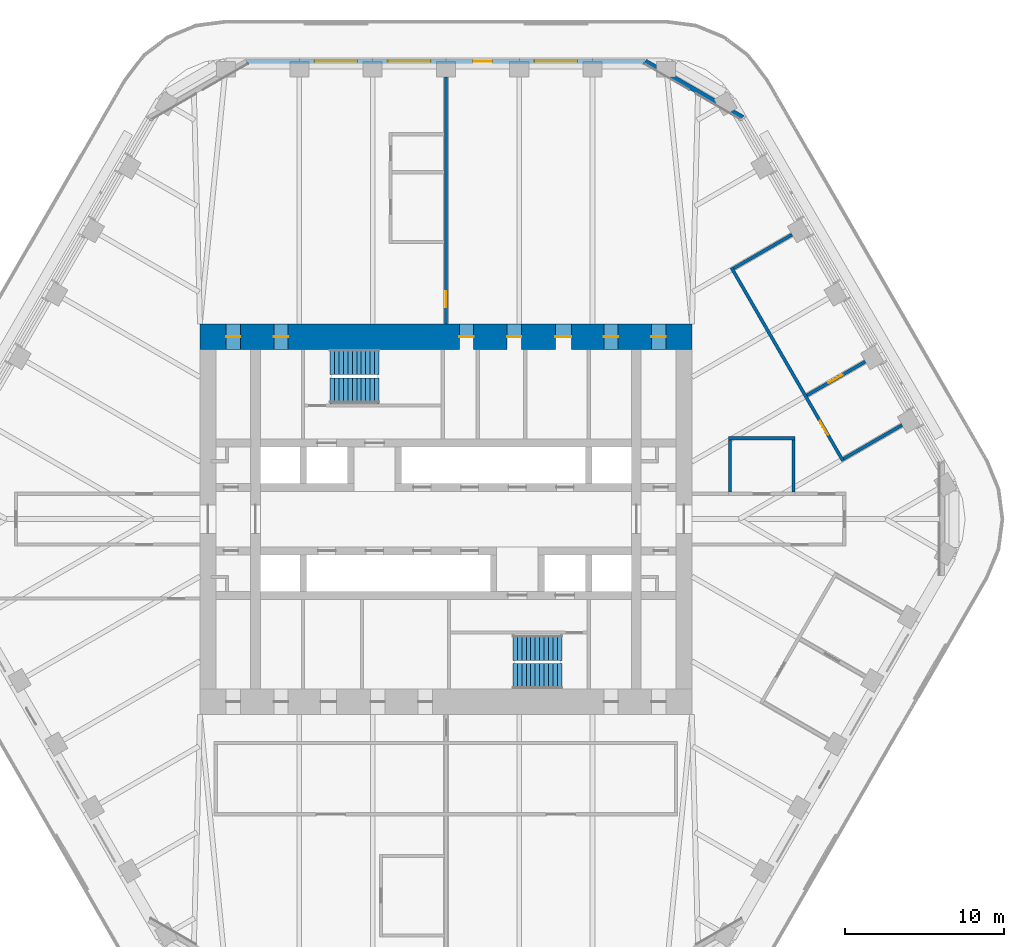
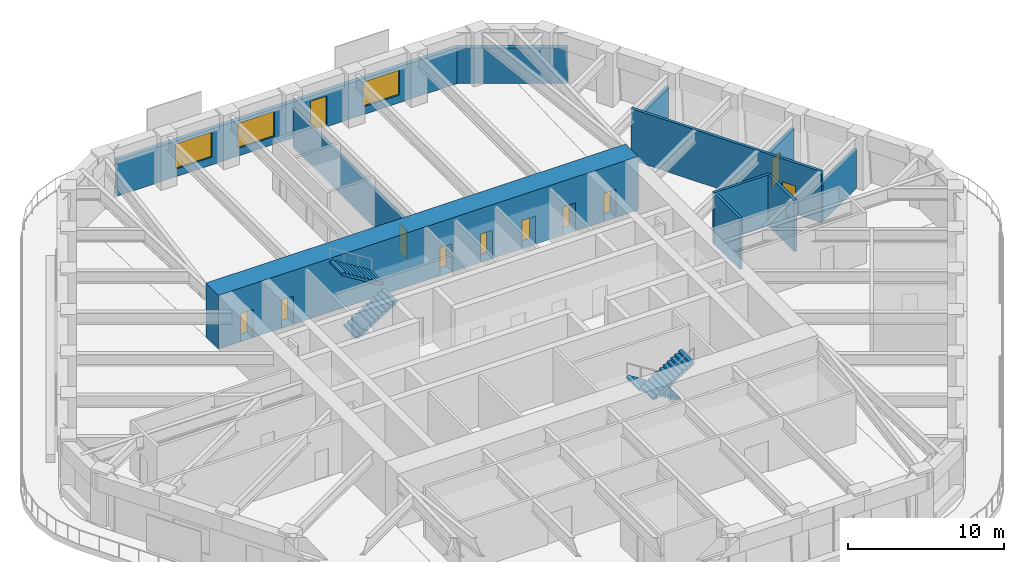
# One storey, part 17 of 20: 11 doors, 11 walls, 4 stair flights, 3 windows, 14 openings, 2 elements without a shape of their own.
"""IFC4 building model written with IfcOpenShell, lengths in metres."""

from ifc_helpers import new_model, si_unit, direction, frame, frame_2d, origin, place, context, subcontext, project, spatial, polyline, rectangle, outline, extrude, material, layer, layer_set, type_object, element, fill, aggregate, save


model = new_model("IFC4")

# Units and contexts
model_context = context("Model", 3, precision=1e-05, world=origin(), true_north=direction((0.0, 1.0)))
body_context = subcontext(model_context, "Body", "Model", "MODEL_VIEW")
ifc_project = project(units=[si_unit("LENGTHUNIT", "METRE"), si_unit("AREAUNIT", "SQUARE_METRE"), si_unit("VOLUMEUNIT", "CUBIC_METRE"), si_unit("PLANEANGLEUNIT", "RADIAN"), si_unit("MASSUNIT", "GRAM", prefix="KILO")], contexts=[model_context])

# Site, building, storey
site_placement = place(None, origin())
site = spatial("IfcSite", under=ifc_project, at=site_placement, CompositionType="ELEMENT")
building_placement = place(site_placement, origin())
building = spatial("IfcBuilding", under=site, at=building_placement, Name="Tarfa Lantern Tower", CompositionType="ELEMENT")
storey_placement = place(building_placement, frame((0.0, 0.0, 257.5)))
storey = spatial("IfcBuildingStorey", under=building, at=storey_placement, Name="L58", CompositionType="ELEMENT", Elevation=257.5)

# Wall
ifc_material_1 = material(Name="Limestone cladding on blockwork", Category="masonry")
ifc_layer_1 = layer(ifc_material_1, 0.300048828125)
ifc_layer_set_1 = layer_set([ifc_layer_1], Name="EW1 STONE-CLAD WALL 300")
wall_type_1 = type_object("IfcWallType", Name="EW1 STONE-CLAD WALL 300", PredefinedType="SOLIDWALL", material=ifc_layer_set_1)
wall_1_placement = place(storey_placement, frame((18.70654296875, 25.299072265625, 0.0), z_axis=(0.0, 0.0, 1.0), x_axis=(-0.866010973379, 0.500024993363, 0.0)))
element("IfcWall", 1, at=wall_1_placement, inside=storey, type_object=wall_type_1, Name="Garden wall NE-N", PredefinedType="SOLIDWALL", context=body_context, shape_type="SweptSolid", body=[
    extrude(rectangle(XDim=7.101806640625, YDim=0.300048828125, at=frame_2d((3.55078125, 0.0))), origin(), (0.0, 0.0, 1.0), 2.800048828125),
])

# Wall, openings, door, windows
wall_2_placement = place(storey_placement, frame((12.556396484375, 28.85009765625, 0.0), z_axis=(0.0, 0.0, 1.0), x_axis=(-1.0, 0.0, 0.0)))
wall_2 = element("IfcWall", 2, at=wall_2_placement, inside=storey, type_object=wall_type_1, Name="Stone wall N", PredefinedType="SOLIDWALL", context=body_context, shape_type="SweptSolid", body=[
    extrude(rectangle(XDim=25.11279296875, YDim=0.300048828125, at=frame_2d((12.556396484375, 0.0))), origin(), (0.0, 0.0, 1.0), 2.800048828125),
])
opening_1_placement = place(wall_2_placement, frame((4.2783203125, 0.0, 0.60009765625)))
opening_1 = element("IfcOpeningElement", 3, at=opening_1_placement, cuts=wall_2, Name="Opening W14", PredefinedType="OPENING", context=body_context, shape_type="SweptSolid", body=[
    extrude(rectangle(XDim=2.699951171875, YDim=1.949951171875, at=frame_2d((1.35009765625, 0.97509765625))), frame((0.0, 0.159912109375, 0.0), z_axis=(0.0, -1.0, 0.0), x_axis=(1.0, 0.0, 0.0)), (0.0, 0.0, 1.0), 0.320068359375),
])
opening_2_placement = place(wall_2_placement, frame((9.64697265625, 0.0, 0.0)))
opening_2 = element("IfcOpeningElement", 4, at=opening_2_placement, cuts=wall_2, Name="Opening D46", PredefinedType="OPENING", context=body_context, shape_type="SweptSolid", body=[
    extrude(rectangle(XDim=1.199951171875, YDim=2.39990234375, at=frame_2d((0.60009765625, 1.199951171875))), frame((0.0, 0.159912109375, 0.0), z_axis=(0.0, -1.0, 0.0), x_axis=(1.0, 0.0, 0.0)), (0.0, 0.0, 1.0), 0.320068359375),
])
opening_3_placement = place(wall_2_placement, frame((13.515869140625, 0.0, 0.60009765625)))
opening_3 = element("IfcOpeningElement", 5, at=opening_3_placement, cuts=wall_2, Name="Opening W14", PredefinedType="OPENING", context=body_context, shape_type="SweptSolid", body=[
    extrude(rectangle(XDim=2.699951171875, YDim=1.949951171875, at=frame_2d((1.35009765625, 0.97509765625))), frame((0.0, 0.159912109375, 0.0), z_axis=(0.0, -1.0, 0.0), x_axis=(1.0, 0.0, 0.0)), (0.0, 0.0, 1.0), 0.320068359375),
])
opening_4_placement = place(wall_2_placement, frame((18.134521484375, 0.0, 0.60009765625)))
opening_4 = element("IfcOpeningElement", 6, at=opening_4_placement, cuts=wall_2, Name="Opening W14", PredefinedType="OPENING", context=body_context, shape_type="SweptSolid", body=[
    extrude(rectangle(XDim=2.699951171875, YDim=1.949951171875, at=frame_2d((1.35009765625, 0.97509765625))), frame((0.0, 0.159912109375, 0.0), z_axis=(0.0, -1.0, 0.0), x_axis=(1.0, 0.0, 0.0)), (0.0, 0.0, 1.0), 0.320068359375),
])
ifc_material_2 = material(Name="Aluminium framed glazed door", Category="aluminium")
door_type_1 = type_object("IfcDoorType", Name="BE3 BALCONY DOOR 1200x2400", OperationType="SINGLE_SWING_RIGHT", PredefinedType="DOOR", material=ifc_material_2)
door_1_placement = place(opening_2_placement, origin())
door_1 = element("IfcDoor", 7, at=door_1_placement, inside=storey, type_object=door_type_1, Name="Balcony door N", OperationType="SINGLE_SWING_LEFT", OverallHeight=2.39990234375, OverallWidth=1.199951171875, PredefinedType="DOOR", context=body_context, shape_type="SweptSolid", body=[
    extrude(rectangle(XDim=1.199951171875, YDim=2.39990234375, at=frame_2d((0.60009765625, 1.199951171875))), frame((0.0, 0.02490234375, 0.0), z_axis=(0.0, -1.0, 0.0), x_axis=(1.0, 0.0, 0.0)), (0.0, 0.0, 1.0), 0.050048828125),
])
fill(opening_2, door_1)
ifc_material_3 = material(Name="Aluminium frame, double glazed", Category="aluminium")
window_type = type_object("IfcWindowType", Name="W14 FULL-HEIGHT GLAZING 2700x1950", PartitioningType="SINGLE_PANEL", PredefinedType="WINDOW", material=ifc_material_3)
window_1_placement = place(opening_1_placement, origin())
window_1 = element("IfcWindow", 8, at=window_1_placement, inside=storey, type_object=window_type, Name="Window N 2", OverallHeight=1.949951171875, OverallWidth=2.699951171875, PartitioningType="SINGLE_PANEL", PredefinedType="WINDOW", context=body_context, shape_type="SweptSolid", body=[
    extrude(rectangle(XDim=2.699951171875, YDim=1.949951171875, at=frame_2d((1.35009765625, 0.97509765625))), frame((0.0, 0.030029296875, 0.0), z_axis=(0.0, -1.0, 0.0), x_axis=(1.0, 0.0, 0.0)), (0.0, 0.0, 1.0), 0.06005859375),
])
fill(opening_1, window_1)
window_2_placement = place(opening_3_placement, origin())
window_2 = element("IfcWindow", 9, at=window_2_placement, inside=storey, type_object=window_type, Name="Window N 4", OverallHeight=1.949951171875, OverallWidth=2.699951171875, PartitioningType="SINGLE_PANEL", PredefinedType="WINDOW", context=body_context, shape_type="SweptSolid", body=[
    extrude(rectangle(XDim=2.699951171875, YDim=1.949951171875, at=frame_2d((1.35009765625, 0.97509765625))), frame((0.0, 0.030029296875, 0.0), z_axis=(0.0, -1.0, 0.0), x_axis=(1.0, 0.0, 0.0)), (0.0, 0.0, 1.0), 0.06005859375),
])
fill(opening_3, window_2)
window_3_placement = place(opening_4_placement, origin())
window_3 = element("IfcWindow", 10, at=window_3_placement, inside=storey, type_object=window_type, Name="Window N 5", OverallHeight=1.949951171875, OverallWidth=2.699951171875, PartitioningType="SINGLE_PANEL", PredefinedType="WINDOW", context=body_context, shape_type="SweptSolid", body=[
    extrude(rectangle(XDim=2.699951171875, YDim=1.949951171875, at=frame_2d((1.35009765625, 0.97509765625))), frame((0.0, 0.030029296875, 0.0), z_axis=(0.0, -1.0, 0.0), x_axis=(1.0, 0.0, 0.0)), (0.0, 0.0, 1.0), 0.06005859375),
])
fill(opening_4, window_3)

# Wall, opening, door
ifc_material_4 = material(Name="Gypsum board on steel studs", Category="steel")
ifc_layer_2 = layer(ifc_material_4, 0.2099609375)
ifc_layer_set_2 = layer_set([ifc_layer_2], Name="IW2 ACOUSTIC PARTITION 200")
wall_type_2 = type_object("IfcWallType", Name="IW2 ACOUSTIC PARTITION 200", PredefinedType="PARTITIONING", material=ifc_layer_set_2)
wall_3_placement = place(storey_placement, frame((25.0205078125, 3.663330078125, 0.0), z_axis=(0.0, 0.0, 1.0), x_axis=(-0.500002095642, 0.866024193862, 0.0)))
wall_3 = element("IfcWall", 11, at=wall_3_placement, inside=storey, type_object=wall_type_2, Name="Partition", PredefinedType="PARTITIONING", context=body_context, shape_type="SweptSolid", body=[
    extrude(rectangle(XDim=14.056640625, YDim=0.199951171875, at=frame_2d((7.0283203125, 0.0))), origin(), (0.0, 0.0, 1.0), 4.0),
])
opening_5_placement = place(wall_3_placement, frame((1.909423828125, 0.0, 0.0)))
opening_5 = element("IfcOpeningElement", 12, at=opening_5_placement, cuts=wall_3, Name="Opening D28", PredefinedType="OPENING", context=body_context, shape_type="SweptSolid", body=[
    extrude(rectangle(XDim=1.0, YDim=2.199951171875, at=frame_2d((0.5, 1.10009765625))), frame((0.0, 0.10986328125, 0.0), z_axis=(0.0, -1.0, 0.0), x_axis=(1.0, 0.0, 0.0)), (0.0, 0.0, 1.0), 0.219970703125),
])
ifc_material_5 = material(Name="Timber door", Category="wood")
door_type_2 = type_object("IfcDoorType", Name="DR1 ROOM DOOR 1000x2200", OperationType="SINGLE_SWING_LEFT", PredefinedType="DOOR", material=ifc_material_5)
door_2_placement = place(opening_5_placement, frame((1.0, 0.0, 0.0), z_axis=(0.0, 0.0, 1.0), x_axis=(-1.0, 0.0, 0.0)))
door_2 = element("IfcDoor", 13, at=door_2_placement, inside=storey, type_object=door_type_2, Name="Client reception door", OperationType="SINGLE_SWING_LEFT", OverallHeight=2.199951171875, OverallWidth=1.0, PredefinedType="DOOR", context=body_context, shape_type="SweptSolid", body=[
    extrude(rectangle(XDim=1.0, YDim=2.199951171875, at=frame_2d((0.5, 1.10009765625))), frame((0.0, 0.02490234375, 0.0), z_axis=(0.0, -1.0, 0.0), x_axis=(1.0, 0.0, 0.0)), (0.0, 0.0, 1.0), 0.050048828125),
])
fill(opening_5, door_2)

# Wall
wall_4_placement = place(storey_placement, frame((25.056884765625, 3.800048828125, 0.0), z_axis=(0.0, 0.0, 1.0), x_axis=(0.866028703517, 0.499994284652, 0.0)))
element("IfcWall", 14, at=wall_4_placement, inside=storey, type_object=wall_type_2, Name="Partition", PredefinedType="PARTITIONING", context=body_context, shape_type="SweptSolid", body=[
    extrude(rectangle(XDim=4.25, YDim=0.199951171875, at=frame_2d((2.125, 0.0))), origin(), (0.0, 0.0, 1.0), 3.08154296875),
])

# Wall, opening, door
wall_5_placement = place(storey_placement, frame((22.74755859375, 7.800048828125, 0.0), z_axis=(0.0, 0.0, 1.0), x_axis=(0.866028703517, 0.499994284652, 0.0)))
wall_5 = element("IfcWall", 15, at=wall_5_placement, inside=storey, type_object=wall_type_2, Name="Partition", PredefinedType="PARTITIONING", context=body_context, shape_type="SweptSolid", body=[
    extrude(rectangle(XDim=4.25, YDim=0.199951171875, at=frame_2d((2.125, 0.0))), origin(), (0.0, 0.0, 1.0), 3.08154296875),
])
opening_6_placement = place(wall_5_placement, frame((1.574951171875, 0.0, 0.0)))
opening_6 = element("IfcOpeningElement", 16, at=opening_6_placement, cuts=wall_5, Name="Opening D29", PredefinedType="OPENING", context=body_context, shape_type="SweptSolid", body=[
    extrude(rectangle(XDim=1.0, YDim=2.199951171875, at=frame_2d((0.5, 1.10009765625))), frame((0.0, 0.10986328125, 0.0), z_axis=(0.0, -1.0, 0.0), x_axis=(1.0, 0.0, 0.0)), (0.0, 0.0, 1.0), 0.219970703125),
])
door_3_placement = place(opening_6_placement, frame((1.0, 0.0, 0.0), z_axis=(0.0, 0.0, 1.0), x_axis=(-1.0, 0.0, 0.0)))
door_3 = element("IfcDoor", 17, at=door_3_placement, inside=storey, type_object=door_type_2, Name="Majlis door", OperationType="SINGLE_SWING_LEFT", OverallHeight=2.199951171875, OverallWidth=1.0, PredefinedType="DOOR", context=body_context, shape_type="SweptSolid", body=[
    extrude(rectangle(XDim=1.0, YDim=2.199951171875, at=frame_2d((0.5, 1.10009765625))), frame((0.0, 0.02490234375, 0.0), z_axis=(0.0, -1.0, 0.0), x_axis=(1.0, 0.0, 0.0)), (0.0, 0.0, 1.0), 0.050048828125),
])
fill(opening_6, door_3)

# Walls
wall_6_placement = place(storey_placement, frame((18.12890625, 15.800048828125, 0.0), z_axis=(0.0, 0.0, 1.0), x_axis=(0.866014341725, 0.50001915956, 0.0)))
element("IfcWall", 18, at=wall_6_placement, inside=storey, type_object=wall_type_2, Name="Partition", PredefinedType="PARTITIONING", context=body_context, shape_type="SweptSolid", body=[
    extrude(rectangle(XDim=4.249755859375, YDim=0.199951171875, at=frame_2d((2.125, 0.0))), origin(), (0.0, 0.0, 1.0), 3.08154296875),
])
wall_7_placement = place(storey_placement, frame((17.800048828125, 5.10009765625, 0.0), z_axis=(0.0, 0.0, 1.0), x_axis=(1.0, 0.0, 0.0)))
element("IfcWall", 19, at=wall_7_placement, inside=storey, type_object=wall_type_2, Name="Partition", PredefinedType="PARTITIONING", context=body_context, shape_type="SweptSolid", body=[
    extrude(rectangle(XDim=4.199951171875, YDim=0.199951171875, at=frame_2d((2.10009765625, 0.0))), origin(), (0.0, 0.0, 1.0), 4.0),
])
for number, where, z_axis, x_axis, name in (
    (20, (17.89990234375, 1.699951171875, 0.0), (0.0, 0.0, 1.0), (0.0, 1.0, 0.0), "Partition"),
    (21, (21.89990234375, 1.699951171875, 0.0), (0.0, 0.0, 1.0), (0.0, 1.0, 0.0), "Partition"),
):
    element("IfcWall", number, at=place(storey_placement, frame(where, z_axis=z_axis, x_axis=x_axis)), inside=storey, type_object=wall_type_2, Name=name, PredefinedType="PARTITIONING", context=body_context, shape_type="SweptSolid", body=[
        extrude(rectangle(XDim=3.300048828125, YDim=0.199951171875, at=frame_2d((1.64990234375, 0.0))), origin(), (0.0, 0.0, 1.0), 4.0),
    ])

# Wall, opening, door
wall_8_placement = place(storey_placement, frame((0.0, 12.300048828125, 0.0), z_axis=(0.0, 0.0, 1.0), x_axis=(0.0, 1.0, 0.0)))
wall_8 = element("IfcWall", 22, at=wall_8_placement, inside=storey, type_object=wall_type_2, Name="Partition", PredefinedType="PARTITIONING", context=body_context, shape_type="SweptSolid", body=[
    extrude(rectangle(XDim=15.550048828125, YDim=0.199951171875, at=frame_2d((7.77490234375, 0.0))), origin(), (0.0, 0.0, 1.0), 2.991943359375),
])
opening_7_placement = place(wall_8_placement, frame((1.054931640625, 0.0, 0.0)))
opening_7 = element("IfcOpeningElement", 23, at=opening_7_placement, cuts=wall_8, Name="Opening D43", PredefinedType="OPENING", context=body_context, shape_type="SweptSolid", body=[
    extrude(rectangle(XDim=1.0, YDim=2.199951171875, at=frame_2d((0.5, 1.10009765625))), frame((0.0, 0.10986328125, 0.0), z_axis=(0.0, -1.0, 0.0), x_axis=(1.0, 0.0, 0.0)), (0.0, 0.0, 1.0), 0.219970703125),
])
door_4_placement = place(opening_7_placement, origin())
door_4 = element("IfcDoor", 24, at=door_4_placement, inside=storey, type_object=door_type_2, Name="Zone door", OperationType="SINGLE_SWING_RIGHT", OverallHeight=2.199951171875, OverallWidth=1.0, PredefinedType="DOOR", context=body_context, shape_type="SweptSolid", body=[
    extrude(rectangle(XDim=1.0, YDim=2.199951171875, at=frame_2d((0.5, 1.10009765625))), frame((0.0, 0.02490234375, 0.0), z_axis=(0.0, -1.0, 0.0), x_axis=(1.0, 0.0, 0.0)), (0.0, 0.0, 1.0), 0.050048828125),
])
fill(opening_7, door_4)

# Wall, openings, doors
ifc_material_6 = material(Name="Concrete C80/95", Category="concrete")
ifc_layer_3 = layer(ifc_material_6, 1.60009765625)
ifc_layer_set_3 = layer_set([ifc_layer_3], Name="SW7 CORE WALL 1600")
wall_type_3 = type_object("IfcWallType", Name="SW7 CORE WALL 1600", PredefinedType="SHEAR", material=ifc_layer_set_3)
wall_9_placement = place(storey_placement, frame((-15.5, 11.5, 0.0), z_axis=(0.0, 0.0, 1.0), x_axis=(1.0, 0.0, 0.0)))
wall_9 = element("IfcWall", 25, at=wall_9_placement, inside=storey, type_object=wall_type_3, Name="Core wall N", PredefinedType="SHEAR", context=body_context, shape_type="SweptSolid", body=[
    extrude(rectangle(XDim=31.0, YDim=1.60009765625, at=frame_2d((15.5, 0.0))), origin(), (0.0, 0.0, 1.0), 4.199951171875),
])
opening_8_placement = place(wall_9_placement, frame((16.35009765625, 0.0, 0.0)))
opening_8 = element("IfcOpeningElement", 26, at=opening_8_placement, cuts=wall_9, Name="Opening D17", PredefinedType="OPENING", context=body_context, shape_type="SweptSolid", body=[
    extrude(rectangle(XDim=0.89990234375, YDim=2.199951171875, at=frame_2d((0.449951171875, 1.10009765625))), frame((0.0, 0.81005859375, 0.0), z_axis=(0.0, -1.0, 0.0), x_axis=(1.0, 0.0, 0.0)), (0.0, 0.0, 1.0), 1.6201171875),
])
opening_9_placement = place(wall_9_placement, frame((19.35009765625, 0.0, 0.0)))
opening_9 = element("IfcOpeningElement", 27, at=opening_9_placement, cuts=wall_9, Name="Opening D19", PredefinedType="OPENING", context=body_context, shape_type="SweptSolid", body=[
    extrude(rectangle(XDim=0.89990234375, YDim=2.199951171875, at=frame_2d((0.449951171875, 1.10009765625))), frame((0.0, 0.81005859375, 0.0), z_axis=(0.0, -1.0, 0.0), x_axis=(1.0, 0.0, 0.0)), (0.0, 0.0, 1.0), 1.6201171875),
])
opening_10_placement = place(wall_9_placement, frame((22.39990234375, 0.0, 0.0)))
opening_10 = element("IfcOpeningElement", 28, at=opening_10_placement, cuts=wall_9, Name="Opening D21", PredefinedType="OPENING", context=body_context, shape_type="SweptSolid", body=[
    extrude(rectangle(XDim=1.0, YDim=2.199951171875, at=frame_2d((0.5, 1.10009765625))), frame((0.0, 0.81005859375, 0.0), z_axis=(0.0, -1.0, 0.0), x_axis=(1.0, 0.0, 0.0)), (0.0, 0.0, 1.0), 1.6201171875),
])
opening_11_placement = place(wall_9_placement, frame((1.64990234375, 0.0, 0.0)))
opening_11 = element("IfcOpeningElement", 29, at=opening_11_placement, cuts=wall_9, Name="Opening D07", PredefinedType="OPENING", context=body_context, shape_type="SweptSolid", body=[
    extrude(rectangle(XDim=0.89990234375, YDim=2.199951171875, at=frame_2d((0.449951171875, 1.10009765625))), frame((0.0, 0.81005859375, 0.0), z_axis=(0.0, -1.0, 0.0), x_axis=(1.0, 0.0, 0.0)), (0.0, 0.0, 1.0), 1.6201171875),
])
opening_12_placement = place(wall_9_placement, frame((4.64990234375, 0.0, 0.0)))
opening_12 = element("IfcOpeningElement", 30, at=opening_12_placement, cuts=wall_9, Name="Opening D05", PredefinedType="OPENING", context=body_context, shape_type="SweptSolid", body=[
    extrude(rectangle(XDim=0.89990234375, YDim=2.199951171875, at=frame_2d((0.449951171875, 1.10009765625))), frame((0.0, 0.81005859375, 0.0), z_axis=(0.0, -1.0, 0.0), x_axis=(1.0, 0.0, 0.0)), (0.0, 0.0, 1.0), 1.6201171875),
])
opening_13_placement = place(wall_9_placement, frame((25.449951171875, 0.0, 0.0)))
opening_13 = element("IfcOpeningElement", 31, at=opening_13_placement, cuts=wall_9, Name="Opening D03", PredefinedType="OPENING", context=body_context, shape_type="SweptSolid", body=[
    extrude(rectangle(XDim=0.89990234375, YDim=2.199951171875, at=frame_2d((0.449951171875, 1.10009765625))), frame((0.0, 0.81005859375, 0.0), z_axis=(0.0, -1.0, 0.0), x_axis=(1.0, 0.0, 0.0)), (0.0, 0.0, 1.0), 1.6201171875),
])
opening_14_placement = place(wall_9_placement, frame((28.449951171875, 0.0, 0.0)))
opening_14 = element("IfcOpeningElement", 32, at=opening_14_placement, cuts=wall_9, Name="Opening D01", PredefinedType="OPENING", context=body_context, shape_type="SweptSolid", body=[
    extrude(rectangle(XDim=0.89990234375, YDim=2.199951171875, at=frame_2d((0.449951171875, 1.10009765625))), frame((0.0, 0.81005859375, 0.0), z_axis=(0.0, -1.0, 0.0), x_axis=(1.0, 0.0, 0.0)), (0.0, 0.0, 1.0), 1.6201171875),
])
ifc_material_7 = material(Name="Steel fire door", Category="steel")
door_type_3 = type_object("IfcDoorType", Name="DF3 CORE ROOM DOOR 900x2200", OperationType="SINGLE_SWING_LEFT", PredefinedType="DOOR", material=ifc_material_7)
door_5_placement = place(opening_8_placement, frame((0.89990234375, 0.0, 0.0), z_axis=(0.0, 0.0, 1.0), x_axis=(-1.0, 0.0, 0.0)))
door_5 = element("IfcDoor", 33, at=door_5_placement, inside=storey, type_object=door_type_3, Name="Core door", OperationType="SINGLE_SWING_RIGHT", OverallHeight=2.199951171875, OverallWidth=0.89990234375, PredefinedType="DOOR", context=body_context, shape_type="SweptSolid", body=[
    extrude(rectangle(XDim=0.89990234375, YDim=2.199951171875, at=frame_2d((0.449951171875, 1.10009765625))), frame((0.0, 0.02490234375, 0.0), z_axis=(0.0, -1.0, 0.0), x_axis=(1.0, 0.0, 0.0)), (0.0, 0.0, 1.0), 0.050048828125),
])
fill(opening_8, door_5)
door_6_placement = place(opening_9_placement, frame((0.89990234375, 0.0, 0.0), z_axis=(0.0, 0.0, 1.0), x_axis=(-1.0, 0.0, 0.0)))
door_6 = element("IfcDoor", 34, at=door_6_placement, inside=storey, type_object=door_type_3, Name="Core door", OperationType="SINGLE_SWING_RIGHT", OverallHeight=2.199951171875, OverallWidth=0.89990234375, PredefinedType="DOOR", context=body_context, shape_type="SweptSolid", body=[
    extrude(rectangle(XDim=0.89990234375, YDim=2.199951171875, at=frame_2d((0.449951171875, 1.10009765625))), frame((0.0, 0.02490234375, 0.0), z_axis=(0.0, -1.0, 0.0), x_axis=(1.0, 0.0, 0.0)), (0.0, 0.0, 1.0), 0.050048828125),
])
fill(opening_9, door_6)
door_type_4 = type_object("IfcDoorType", Name="DF4 CORE ROOM DOOR 1000x2200", OperationType="SINGLE_SWING_LEFT", PredefinedType="DOOR", material=ifc_material_7)
door_7_placement = place(opening_10_placement, frame((1.0, 0.0, 0.0), z_axis=(0.0, 0.0, 1.0), x_axis=(-1.0, 0.0, 0.0)))
door_7 = element("IfcDoor", 35, at=door_7_placement, inside=storey, type_object=door_type_4, Name="Core door", OperationType="SINGLE_SWING_RIGHT", OverallHeight=2.199951171875, OverallWidth=1.0, PredefinedType="DOOR", context=body_context, shape_type="SweptSolid", body=[
    extrude(rectangle(XDim=1.0, YDim=2.199951171875, at=frame_2d((0.5, 1.10009765625))), frame((0.0, 0.02490234375, 0.0), z_axis=(0.0, -1.0, 0.0), x_axis=(1.0, 0.0, 0.0)), (0.0, 0.0, 1.0), 0.050048828125),
])
fill(opening_10, door_7)
door_type_5 = type_object("IfcDoorType", Name="DF5 RISER DOOR 900x2200", OperationType="SINGLE_SWING_LEFT", PredefinedType="DOOR", material=ifc_material_7)
door_8_placement = place(opening_11_placement, frame((0.89990234375, 0.0, 0.0), z_axis=(0.0, 0.0, 1.0), x_axis=(-1.0, 0.0, 0.0)))
door_8 = element("IfcDoor", 36, at=door_8_placement, inside=storey, type_object=door_type_5, Name="Riser door", OperationType="SINGLE_SWING_LEFT", OverallHeight=2.199951171875, OverallWidth=0.89990234375, PredefinedType="DOOR", context=body_context, shape_type="SweptSolid", body=[
    extrude(rectangle(XDim=0.89990234375, YDim=2.199951171875, at=frame_2d((0.449951171875, 1.10009765625))), frame((0.0, 0.02490234375, 0.0), z_axis=(0.0, -1.0, 0.0), x_axis=(1.0, 0.0, 0.0)), (0.0, 0.0, 1.0), 0.050048828125),
])
fill(opening_11, door_8)
door_9_placement = place(opening_12_placement, frame((0.89990234375, 0.0, 0.0), z_axis=(0.0, 0.0, 1.0), x_axis=(-1.0, 0.0, 0.0)))
door_9 = element("IfcDoor", 37, at=door_9_placement, inside=storey, type_object=door_type_5, Name="Riser door", OperationType="SINGLE_SWING_LEFT", OverallHeight=2.199951171875, OverallWidth=0.89990234375, PredefinedType="DOOR", context=body_context, shape_type="SweptSolid", body=[
    extrude(rectangle(XDim=0.89990234375, YDim=2.199951171875, at=frame_2d((0.449951171875, 1.10009765625))), frame((0.0, 0.02490234375, 0.0), z_axis=(0.0, -1.0, 0.0), x_axis=(1.0, 0.0, 0.0)), (0.0, 0.0, 1.0), 0.050048828125),
])
fill(opening_12, door_9)
door_10_placement = place(opening_13_placement, frame((0.89990234375, 0.0, 0.0), z_axis=(0.0, 0.0, 1.0), x_axis=(-1.0, 0.0, 0.0)))
door_10 = element("IfcDoor", 38, at=door_10_placement, inside=storey, type_object=door_type_5, Name="Riser door", OperationType="SINGLE_SWING_RIGHT", OverallHeight=2.199951171875, OverallWidth=0.89990234375, PredefinedType="DOOR", context=body_context, shape_type="SweptSolid", body=[
    extrude(rectangle(XDim=0.89990234375, YDim=2.199951171875, at=frame_2d((0.449951171875, 1.10009765625))), frame((0.0, 0.02490234375, 0.0), z_axis=(0.0, -1.0, 0.0), x_axis=(1.0, 0.0, 0.0)), (0.0, 0.0, 1.0), 0.050048828125),
])
fill(opening_13, door_10)
door_11_placement = place(opening_14_placement, frame((0.89990234375, 0.0, 0.0), z_axis=(0.0, 0.0, 1.0), x_axis=(-1.0, 0.0, 0.0)))
door_11 = element("IfcDoor", 39, at=door_11_placement, inside=storey, type_object=door_type_5, Name="Riser door", OperationType="SINGLE_SWING_RIGHT", OverallHeight=2.199951171875, OverallWidth=0.89990234375, PredefinedType="DOOR", context=body_context, shape_type="SweptSolid", body=[
    extrude(rectangle(XDim=0.89990234375, YDim=2.199951171875, at=frame_2d((0.449951171875, 1.10009765625))), frame((0.0, 0.02490234375, 0.0), z_axis=(0.0, -1.0, 0.0), x_axis=(1.0, 0.0, 0.0)), (0.0, 0.0, 1.0), 0.050048828125),
])
fill(opening_14, door_11)

# Stair, stair flights
ifc_material_8 = material(Name="Concrete C40/50", Category="concrete")
stair_type = type_object("IfcStairType", Name="ST-T10 HALF-TURN STAIR 4200 RISE", PredefinedType="HALF_TURN_STAIR", material=ifc_material_8)
stair_1_placement = place(storey_placement, origin())
stair_1 = element("IfcStair", 40, at=stair_1_placement, inside=storey, type_object=stair_type, Name="Stair ST1", PredefinedType="HALF_TURN_STAIR")
stair_flight_type = type_object("IfcStairFlightType", Name="SF1 STAIR FLIGHT", PredefinedType="STRAIGHT", material=ifc_material_8)
stair_flight_1_placement = place(storey_placement, frame((-7.300048828125, 8.10009765625, 0.0), z_axis=(0.0, 0.0, 1.0), x_axis=(1.0, 0.0, 0.0)))
stair_flight_1 = element("IfcStairFlight", 41, at=stair_flight_1_placement, type_object=stair_flight_type, Name="ST1 flight 1", NumberOfRisers=12, NumberOfTreads=11, PredefinedType="STRAIGHT", RiserHeight=0.175, TreadLength=0.28, context=body_context, shape_type="SweptSolid", body=[
    extrude(outline(polyline([(0.0, 0.0), (0.0, 0.175048828125), (0.280029296875, 0.175048828125), (0.280029296875, 0.35009765625), (0.56005859375, 0.35009765625), (0.56005859375, 0.52490234375), (0.840087890625, 0.52490234375), (0.840087890625, 0.699951171875), (1.1201171875, 0.699951171875), (1.1201171875, 0.875), (1.39990234375, 0.875), (1.39990234375, 1.050048828125), (1.679931640625, 1.050048828125), (1.679931640625, 1.22509765625), (1.9599609375, 1.22509765625), (1.9599609375, 1.39990234375), (2.239990234375, 1.39990234375), (2.239990234375, 1.574951171875), (2.52001953125, 1.574951171875), (2.52001953125, 1.75), (2.800048828125, 1.75), (2.800048828125, 1.925048828125), (3.080078125, 1.925048828125), (3.080078125, 2.10009765625), (3.080078125, 1.748291015625), (0.28271484375, 0.0), (0.0, 0.0)])), frame((0.0, 0.800048828125, 0.0), z_axis=(0.0, -1.0, 0.0), x_axis=(1.0, 0.0, 0.0)), (0.0, 0.0, 1.0), 1.60009765625),
])
stair_flight_2_placement = place(storey_placement, frame((-4.219970703125, 9.89990234375, 2.10009765625), z_axis=(0.0, 0.0, 1.0), x_axis=(-1.0, 0.0, 0.0)))
stair_flight_2 = element("IfcStairFlight", 42, at=stair_flight_2_placement, type_object=stair_flight_type, Name="ST1 flight 2", NumberOfRisers=12, NumberOfTreads=11, PredefinedType="STRAIGHT", RiserHeight=0.175, TreadLength=0.28, context=body_context, shape_type="SweptSolid", body=[
    extrude(outline(polyline([(0.0, 0.0), (0.0, 0.175048828125), (0.280029296875, 0.175048828125), (0.280029296875, 0.35009765625), (0.56005859375, 0.35009765625), (0.56005859375, 0.52490234375), (0.840087890625, 0.52490234375), (0.840087890625, 0.699951171875), (1.1201171875, 0.699951171875), (1.1201171875, 0.875), (1.39990234375, 0.875), (1.39990234375, 1.050048828125), (1.679931640625, 1.050048828125), (1.679931640625, 1.22509765625), (1.9599609375, 1.22509765625), (1.9599609375, 1.39990234375), (2.239990234375, 1.39990234375), (2.239990234375, 1.574951171875), (2.52001953125, 1.574951171875), (2.52001953125, 1.75), (2.800048828125, 1.75), (2.800048828125, 1.925048828125), (3.080078125, 1.925048828125), (3.080078125, 2.10009765625), (3.080078125, 1.748291015625), (0.28271484375, 0.0), (0.0, 0.0)])), frame((0.0, 0.800048828125, 0.0), z_axis=(0.0, -1.0, 0.0), x_axis=(1.0, 0.0, 0.0)), (0.0, 0.0, 1.0), 1.60009765625),
])
aggregate(stair_1, [stair_flight_1, stair_flight_2])

stair_2_placement = place(storey_placement, origin())
stair_2 = element("IfcStair", 43, at=stair_2_placement, inside=storey, type_object=stair_type, Name="Stair ST2", PredefinedType="HALF_TURN_STAIR")
stair_flight_3_placement = place(storey_placement, frame((7.300048828125, -8.10009765625, 0.0), z_axis=(0.0, 0.0, 1.0), x_axis=(-1.0, 0.0, 0.0)))
stair_flight_3 = element("IfcStairFlight", 44, at=stair_flight_3_placement, type_object=stair_flight_type, Name="ST2 flight 1", NumberOfRisers=12, NumberOfTreads=11, PredefinedType="STRAIGHT", RiserHeight=0.175, TreadLength=0.28, context=body_context, shape_type="SweptSolid", body=[
    extrude(outline(polyline([(0.0, 0.0), (0.0, 0.175048828125), (0.280029296875, 0.175048828125), (0.280029296875, 0.35009765625), (0.56005859375, 0.35009765625), (0.56005859375, 0.52490234375), (0.840087890625, 0.52490234375), (0.840087890625, 0.699951171875), (1.1201171875, 0.699951171875), (1.1201171875, 0.875), (1.39990234375, 0.875), (1.39990234375, 1.050048828125), (1.679931640625, 1.050048828125), (1.679931640625, 1.22509765625), (1.9599609375, 1.22509765625), (1.9599609375, 1.39990234375), (2.239990234375, 1.39990234375), (2.239990234375, 1.574951171875), (2.52001953125, 1.574951171875), (2.52001953125, 1.75), (2.800048828125, 1.75), (2.800048828125, 1.925048828125), (3.080078125, 1.925048828125), (3.080078125, 2.10009765625), (3.080078125, 1.748291015625), (0.28271484375, 0.0), (0.0, 0.0)])), frame((0.0, 0.800048828125, 0.0), z_axis=(0.0, -1.0, 0.0), x_axis=(1.0, 0.0, 0.0)), (0.0, 0.0, 1.0), 1.60009765625),
])
stair_flight_4_placement = place(storey_placement, frame((4.219970703125, -9.89990234375, 2.10009765625), z_axis=(0.0, 0.0, 1.0), x_axis=(1.0, 0.0, 0.0)))
stair_flight_4 = element("IfcStairFlight", 45, at=stair_flight_4_placement, type_object=stair_flight_type, Name="ST2 flight 2", NumberOfRisers=12, NumberOfTreads=11, PredefinedType="STRAIGHT", RiserHeight=0.175, TreadLength=0.28, context=body_context, shape_type="SweptSolid", body=[
    extrude(outline(polyline([(0.0, 0.0), (0.0, 0.175048828125), (0.280029296875, 0.175048828125), (0.280029296875, 0.35009765625), (0.56005859375, 0.35009765625), (0.56005859375, 0.52490234375), (0.840087890625, 0.52490234375), (0.840087890625, 0.699951171875), (1.1201171875, 0.699951171875), (1.1201171875, 0.875), (1.39990234375, 0.875), (1.39990234375, 1.050048828125), (1.679931640625, 1.050048828125), (1.679931640625, 1.22509765625), (1.9599609375, 1.22509765625), (1.9599609375, 1.39990234375), (2.239990234375, 1.39990234375), (2.239990234375, 1.574951171875), (2.52001953125, 1.574951171875), (2.52001953125, 1.75), (2.800048828125, 1.75), (2.800048828125, 1.925048828125), (3.080078125, 1.925048828125), (3.080078125, 2.10009765625), (3.080078125, 1.748291015625), (0.28271484375, 0.0), (0.0, 0.0)])), frame((0.0, 0.800048828125, 0.0), z_axis=(0.0, -1.0, 0.0), x_axis=(1.0, 0.0, 0.0)), (0.0, 0.0, 1.0), 1.60009765625),
])
aggregate(stair_2, [stair_flight_3, stair_flight_4])

save(model, "model.ifc")
